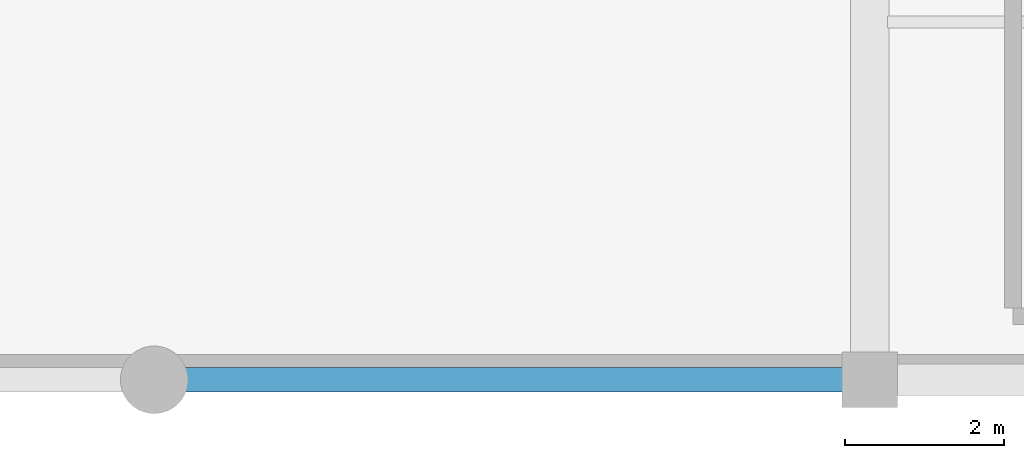
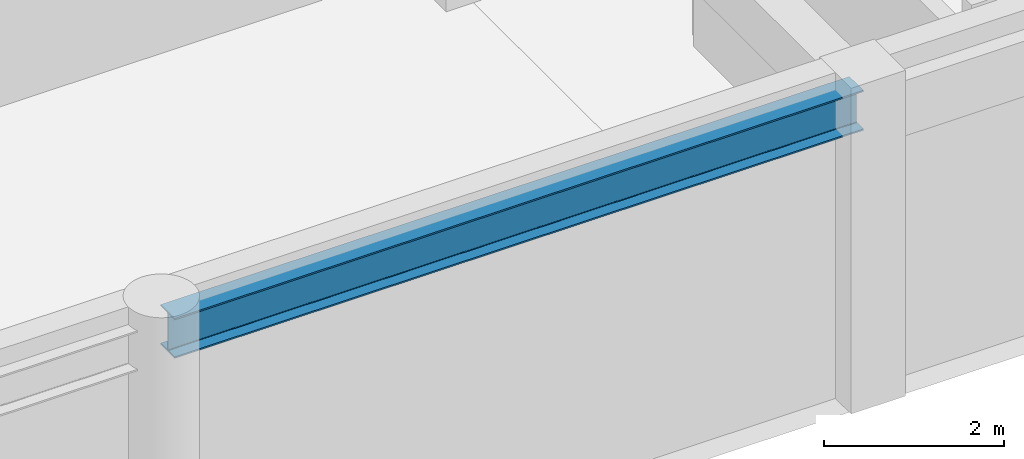
# One storey, part 16 of 133: 1 beam.
"""IFC4 building model written with IfcOpenShell, lengths in metres."""

from ifc_helpers import new_model, si_unit, direction, frame, origin, origin_2d, place, context, subcontext, project, spatial, i_section, extrude, material, material_profile, profile_set, type_object, element, save


model = new_model("IFC4")

# Units and contexts
model_context = context("Model", 3, precision=1e-05, world=origin(), true_north=direction((0.0, 1.0)))
body_context = subcontext(model_context, "Body", "Model", "MODEL_VIEW")
ifc_project = project(units=[si_unit("LENGTHUNIT", "METRE"), si_unit("AREAUNIT", "SQUARE_METRE"), si_unit("VOLUMEUNIT", "CUBIC_METRE"), si_unit("PLANEANGLEUNIT", "RADIAN"), si_unit("MASSUNIT", "GRAM", prefix="KILO")], contexts=[model_context])

# Site, building, storey
site_placement = place(None, origin())
site = spatial("IfcSite", under=ifc_project, at=site_placement, CompositionType="ELEMENT")
building_placement = place(site_placement, origin())
building = spatial("IfcBuilding", under=site, at=building_placement, Name="Miravela Opera House", CompositionType="ELEMENT")
storey_placement = place(building_placement, frame((0.0, 0.0, 5.10009765625)))
storey = spatial("IfcBuildingStorey", under=building, at=storey_placement, Name="L01", CompositionType="ELEMENT", Elevation=5.10009765625)

# Beam
ifc_material = material(Name="Structural steel ASTM A992 Gr. 50", Category="steel")
ifc_material_profile = material_profile(ifc_material, i_section(OverallWidth=0.31201171875, OverallDepth=0.54296875, WebThickness=0.0126953125, FlangeThickness=0.020263671875, FilletRadius=0.01611328125, at=origin_2d()), Name="W530X150")
ifc_profile_set = profile_set([ifc_material_profile])
beam_type = type_object("IfcBeamType", Name="STR-BM-W530X150", PredefinedType="BEAM", material=ifc_profile_set)
beam_placement = place(storey_placement, frame((9.080078125, 0.0, 3.908447265625), z_axis=(1.0, 0.0, 0.0), x_axis=(0.0, 1.0, 0.0)))
element("IfcBeam", 1, at=beam_placement, inside=storey, type_object=beam_type, Name="Roof King-Post Transverse Tie Girder ROOF-V5-SOUTH T0.2", PredefinedType="BEAM", context=body_context, shape_type="SweptSolid", body=[
    extrude(i_section(OverallWidth=0.31201171875, OverallDepth=0.54296875, WebThickness=0.0126953125, FlangeThickness=0.020263671875, FilletRadius=0.01611328125, at=origin_2d()), origin(), (0.0, 0.0, 1.0), 8.83984375),
])

save(model, "model.ifc")
